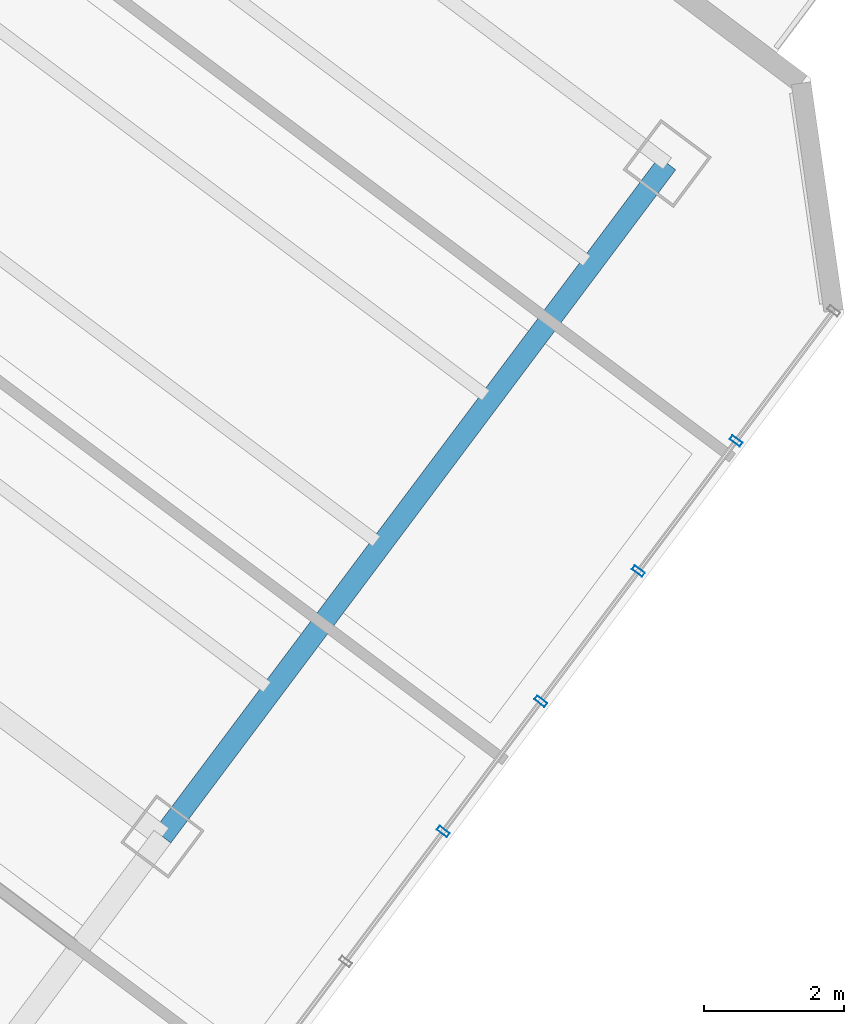
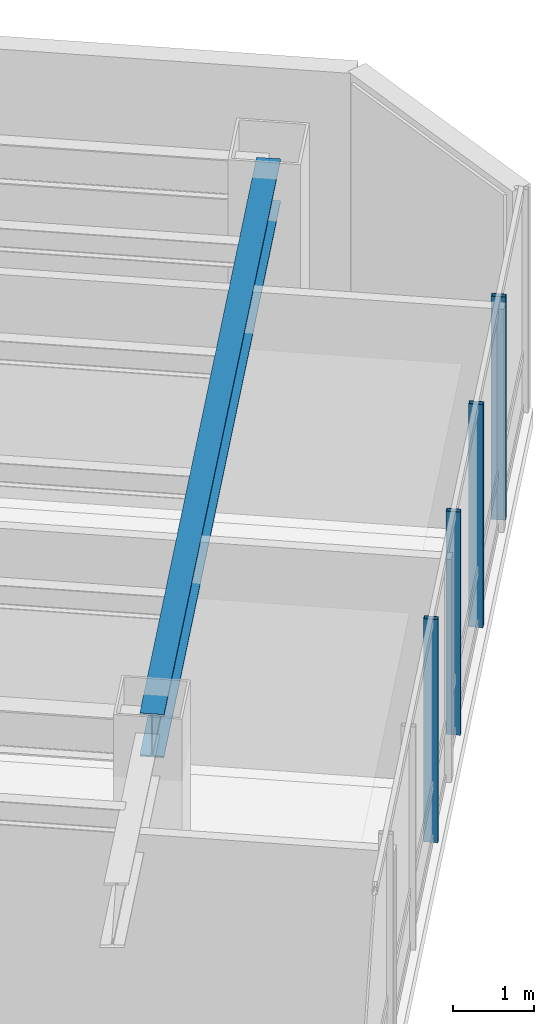
# One storey, part 10 of 31: 4 members, 1 beam, 1 element without a shape of its own.
"""IFC4 building model written with IfcOpenShell, lengths in metres."""

from ifc_helpers import new_model, si_unit, direction, frame, origin, origin_2d, place, context, subcontext, project, spatial, hollow_rectangle, i_section, extrude, material, layer, layer_set, material_profile, profile_set, type_object, element, aggregate, save


model = new_model("IFC4")

# Units and contexts
model_context = context("Model", 3, precision=1e-05, world=origin(), true_north=direction((0.0, 1.0)))
body_context = subcontext(model_context, "Body", "Model", "MODEL_VIEW")
ifc_project = project(units=[si_unit("LENGTHUNIT", "METRE"), si_unit("AREAUNIT", "SQUARE_METRE"), si_unit("VOLUMEUNIT", "CUBIC_METRE"), si_unit("PLANEANGLEUNIT", "RADIAN"), si_unit("MASSUNIT", "GRAM", prefix="KILO")], contexts=[model_context])

# Site, building, storey
site_placement = place(None, origin())
site = spatial("IfcSite", under=ifc_project, at=site_placement, CompositionType="ELEMENT")
building_placement = place(site_placement, origin())
building = spatial("IfcBuilding", under=site, at=building_placement, Name="Hatsunagi Terrace Concourse", CompositionType="ELEMENT")
storey_placement = place(building_placement, frame((0.0, 0.0, 122.85009765625)))
storey = spatial("IfcBuildingStorey", under=building, at=storey_placement, Name="L32", CompositionType="ELEMENT", Elevation=122.85009765625)

# Curtain wall, members
ifc_material_1 = material(Name="Anodised Aluminium Alloy 6063-T5", Category="aluminium")
ifc_layer = layer(ifc_material_1, 0.199951171875)
ifc_layer_set = layer_set([ifc_layer], Name="OfficeZone1_CW03")
curtain_wall_type = type_object("IfcCurtainWallType", Name="OfficeZone1_CW03", PredefinedType="NOTDEFINED", material=ifc_layer_set)
curtain_wall_placement = place(storey_placement, origin())
curtain_wall = element("IfcCurtainWall", 1, at=curtain_wall_placement, inside=storey, type_object=curtain_wall_type, Name="Unitised Curtain Wall CW-03 CW-L32-03", PredefinedType="NOTDEFINED")
ifc_material_2 = material(Name="Anodised Aluminium Alloy 6063-T5", Category="aluminium")
ifc_material_profile_1 = material_profile(ifc_material_2, hollow_rectangle(XDim=0.070068359375, YDim=0.179931640625, WallThickness=0.00390625, at=origin_2d()), Name="ALU-MUL-180x70x4")
ifc_profile_set_1 = profile_set([ifc_material_profile_1], Name="Anodised Aluminium Alloy 6063-T5")
member_type = type_object("IfcMemberType", Name="CurtainWallMullion_180x70", PredefinedType="MULLION", material=ifc_profile_set_1)
member_1_placement = place(storey_placement, frame((67.700927734375, 17.802001953125, 0.0), z_axis=(0.0, 0.0, 1.0), x_axis=(-0.599969314634, -0.800023013105, 0.0)))
member_1 = element("IfcMember", 2, at=member_1_placement, type_object=member_type, Name="Curtain Wall Mullion MUL-02", PredefinedType="MULLION", context=body_context, shape_type="SweptSolid", body=[
    extrude(hollow_rectangle(XDim=0.070068359375, YDim=0.179931640625, WallThickness=0.00390625, at=origin_2d()), origin(), (0.0, 0.0, 1.0), 3.349853515625),
])
member_2_placement = place(storey_placement, frame((66.30908203125, 15.945068359375, 0.0), z_axis=(0.0, 0.0, 1.0), x_axis=(-0.599969314634, -0.800023013105, 0.0)))
member_2 = element("IfcMember", 3, at=member_2_placement, type_object=member_type, Name="Curtain Wall Mullion MUL-02", PredefinedType="MULLION", context=body_context, shape_type="SweptSolid", body=[
    extrude(hollow_rectangle(XDim=0.070068359375, YDim=0.179931640625, WallThickness=0.00390625, at=origin_2d()), origin(), (0.0, 0.0, 1.0), 3.349853515625),
])
member_3_placement = place(storey_placement, frame((64.916015625, 14.089111328125, 0.0), z_axis=(0.0, 0.0, 1.0), x_axis=(-0.599969314634, -0.800023013105, 0.0)))
member_3 = element("IfcMember", 4, at=member_3_placement, type_object=member_type, Name="Curtain Wall Mullion MUL-02", PredefinedType="MULLION", context=body_context, shape_type="SweptSolid", body=[
    extrude(hollow_rectangle(XDim=0.070068359375, YDim=0.179931640625, WallThickness=0.00390625, at=origin_2d()), origin(), (0.0, 0.0, 1.0), 3.349853515625),
])
member_4_placement = place(storey_placement, frame((63.52392578125, 12.23193359375, 0.0), z_axis=(0.0, 0.0, 1.0), x_axis=(-0.599969314634, -0.800023013105, 0.0)))
member_4 = element("IfcMember", 5, at=member_4_placement, type_object=member_type, Name="Curtain Wall Mullion MUL-02", PredefinedType="MULLION", context=body_context, shape_type="SweptSolid", body=[
    extrude(hollow_rectangle(XDim=0.070068359375, YDim=0.179931640625, WallThickness=0.00390625, at=origin_2d()), origin(), (0.0, 0.0, 1.0), 3.349853515625),
])
aggregate(curtain_wall, [member_1, member_2, member_3, member_4])

# Beam
ifc_material_3 = material(Name="Steel SN490B", Category="steel")
ifc_material_profile_2 = material_profile(ifc_material_3, i_section(OverallWidth=0.300048828125, OverallDepth=0.64990234375, WebThickness=0.012939453125, FlangeThickness=0.02197265625, FilletRadius=0.01806640625, at=origin_2d()), Name="H-650x300x13x22")
ifc_profile_set_2 = profile_set([ifc_material_profile_2], Name="Steel SN490B")
beam_type = type_object("IfcBeamType", Name="OfficeLowGirder_H_650x300", PredefinedType="BEAM", material=ifc_profile_set_2)
beam_placement = place(storey_placement, frame((59.52001953125, 12.159912109375, 3.02490234375), z_axis=(0.59999348959, 0.800004882766, 0.0), x_axis=(-0.800004882766, 0.59999348959, 0.0)))
element("IfcBeam", 6, at=beam_placement, inside=storey, type_object=beam_type, Name="Beam G-05 BM-L32-SET-3B", PredefinedType="BEAM", context=body_context, shape_type="SweptSolid", body=[
    extrude(i_section(OverallWidth=0.300048828125, OverallDepth=0.64990234375, WebThickness=0.012939453125, FlangeThickness=0.02197265625, FilletRadius=0.01806640625, at=origin_2d()), origin(), (0.0, 0.0, 1.0), 12.0),
])

save(model, "model.ifc")
